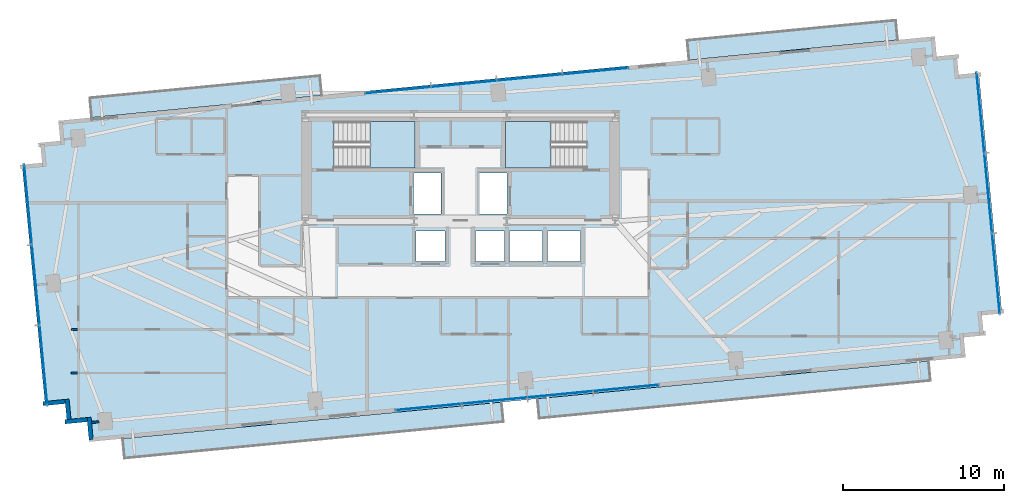
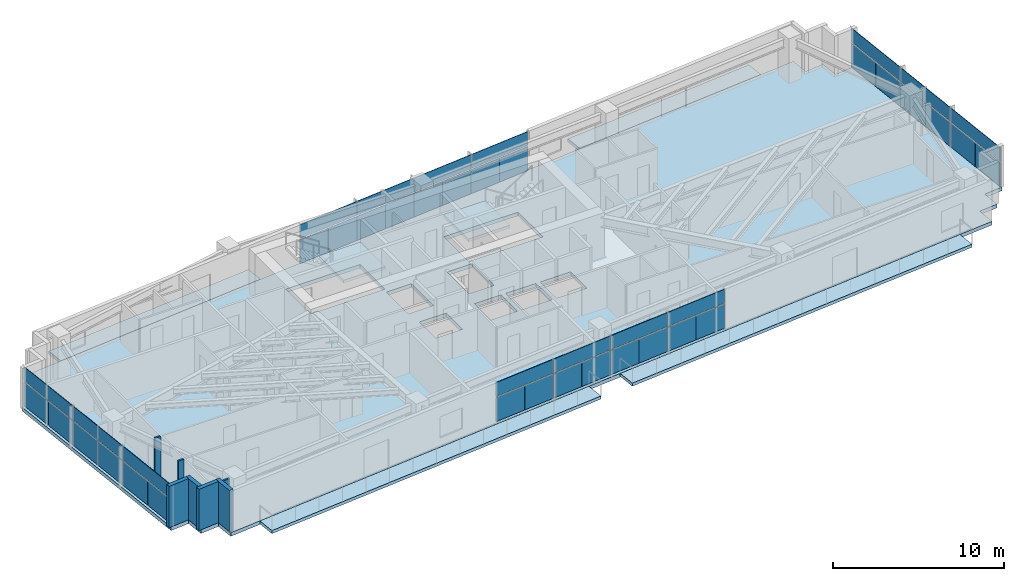
# One storey, part 20 of 27: 42 plates, 7 slabs, 7 walls, 6 elements without a shape of their own.
"""IFC4 building model written with IfcOpenShell, lengths in metres."""

from ifc_helpers import new_model, si_unit, direction, frame, frame_2d, origin, origin_2d, place, context, subcontext, project, spatial, polyline, rectangle, outline, extrude, source, transform, mapped, material, layer, layer_set, type_object, type_shapes, element, aggregate, save


model = new_model("IFC4")

# Units and contexts
model_context = context("Model", 3, precision=1e-05, world=origin(), true_north=direction((0.0, 1.0)))
body_context = subcontext(model_context, "Body", "Model", "MODEL_VIEW")
ifc_project = project(units=[si_unit("LENGTHUNIT", "METRE"), si_unit("AREAUNIT", "SQUARE_METRE"), si_unit("VOLUMEUNIT", "CUBIC_METRE"), si_unit("PLANEANGLEUNIT", "RADIAN"), si_unit("MASSUNIT", "GRAM", prefix="KILO")], contexts=[model_context])

# Site, building, storey
site_placement = place(None, origin())
site = spatial("IfcSite", under=ifc_project, at=site_placement, CompositionType="ELEMENT")
building_placement = place(site_placement, origin())
building = spatial("IfcBuilding", under=site, at=building_placement, Name="Astriad Promenade Condominiums", CompositionType="ELEMENT")
storey_placement = place(building_placement, frame((0.0, 0.0, 113.0)))
storey = spatial("IfcBuildingStorey", under=building, at=storey_placement, Name="L32", CompositionType="ELEMENT", Elevation=113.0)

# Slab
ifc_material_1 = material(Name="Concrete C50/60", Category="concrete")
ifc_layer_1 = layer(ifc_material_1, 0.260009765625)
ifc_layer_set_1 = layer_set([ifc_layer_1], Name="Concrete C50/60")
slab_type_1 = type_object("IfcSlabType", Name="CONCRETE TOWER FLOOR SLAB 260", PredefinedType="FLOOR", material=ifc_layer_set_1)
slab_1_placement = place(storey_placement, frame((0.0, 0.0, -0.260009765625)))
element("IfcSlab", 1, at=slab_1_placement, inside=storey, type_object=slab_type_1, Name="Structural Floor Slab (L32)", PredefinedType="FLOOR", context=body_context, shape_type="SweptSolid", body=[
    extrude(outline(polyline([(12.984130859375, 3.7294921875), (67.332763671875, 8.962646484375), (67.212890625, 10.206787109375), (68.457275390625, 10.32666015625), (68.33740234375, 11.57080078125), (69.58154296875, 11.690673828125), (68.14404296875, 26.62158203125), (66.899658203125, 26.501953125), (66.77978515625, 27.74609375), (65.53564453125, 27.626220703125), (65.416015625, 28.87060546875), (11.067138671875, 23.637451171875), (11.18701171875, 22.39306640625), (9.94287109375, 22.273193359375), (10.0625, 21.029052734375), (8.818359375, 20.9091796875), (10.256103515625, 5.978271484375), (11.500244140625, 6.09814453125), (11.6201171875, 4.85400390625), (12.8642578125, 4.9736328125), (12.984130859375, 3.7294921875)]), holes=[polyline([(28.175048828125, 20.699951171875), (33.175048828125, 20.699951171875), (33.175048828125, 23.60009765625), (28.175048828125, 23.60009765625), (28.175048828125, 20.699951171875)]), polyline([(38.824951171875, 20.699951171875), (43.824951171875, 20.699951171875), (43.824951171875, 23.60009765625), (38.824951171875, 23.60009765625), (38.824951171875, 20.699951171875)]), polyline([(33.10009765625, 17.85009765625), (34.800048828125, 17.85009765625), (34.800048828125, 20.39990234375), (33.10009765625, 20.39990234375), (33.10009765625, 17.85009765625)]), polyline([(37.199951171875, 17.85009765625), (38.89990234375, 17.85009765625), (38.89990234375, 20.39990234375), (37.199951171875, 20.39990234375), (37.199951171875, 17.85009765625)]), polyline([(33.25, 14.89990234375), (35.050048828125, 14.89990234375), (35.050048828125, 16.800048828125), (33.25, 16.800048828125), (33.25, 14.89990234375)]), polyline([(36.949951171875, 14.89990234375), (38.75, 14.89990234375), (38.75, 16.800048828125), (36.949951171875, 16.800048828125), (36.949951171875, 14.89990234375)]), polyline([(39.050048828125, 14.89990234375), (41.10009765625, 14.89990234375), (41.10009765625, 16.800048828125), (39.050048828125, 16.800048828125), (39.050048828125, 14.89990234375)]), polyline([(41.39990234375, 14.89990234375), (43.449951171875, 14.89990234375), (43.449951171875, 16.800048828125), (41.39990234375, 16.800048828125), (41.39990234375, 14.89990234375)])]), origin(), (0.0, 0.0, 1.0), 0.260009765625),
])

# Stair, slab
stair_type = type_object("IfcStairType", Name="STR-CORE-1350", PredefinedType="HALF_TURN_STAIR", material=ifc_material_1)
stair_1_placement = place(storey_placement, origin())
stair_1 = element("IfcStair", 2, at=stair_1_placement, inside=storey, type_object=stair_type, Name="L32 Enclosed Core Exit Stair ST-1", PredefinedType="HALF_TURN_STAIR")
ifc_layer_2 = layer(ifc_material_1, 0.219970703125)
ifc_layer_set_2 = layer_set([ifc_layer_2], Name="Concrete C50/60")
slab_type_2 = type_object("IfcSlabType", Name="SLB-LANDING-220", PredefinedType="LANDING", material=ifc_layer_set_2)
slab_2_placement = place(storey_placement, frame((0.0, 0.0, 1.39990234375)))
slab_2 = element("IfcSlab", 3, at=slab_2_placement, type_object=slab_type_2, Name="ST-1 landing 1", PredefinedType="LANDING", context=body_context, shape_type="SweptSolid", body=[
    extrude(outline(polyline([(30.389892578125, 20.699951171875), (33.199951171875, 20.699951171875), (33.199951171875, 23.60009765625), (30.389892578125, 23.60009765625), (30.389892578125, 20.699951171875)])), origin(), (0.0, 0.0, 1.0), 0.2001953125),
])
aggregate(stair_1, [slab_2])

stair_2_placement = place(storey_placement, origin())
stair_2 = element("IfcStair", 4, at=stair_2_placement, inside=storey, type_object=stair_type, Name="L32 Enclosed Core Exit Stair ST-2", PredefinedType="HALF_TURN_STAIR")
slab_3_placement = place(storey_placement, frame((0.0, 0.0, 1.39990234375)))
slab_3 = element("IfcSlab", 5, at=slab_3_placement, type_object=slab_type_2, Name="ST-2 landing 1", PredefinedType="LANDING", context=body_context, shape_type="SweptSolid", body=[
    extrude(outline(polyline([(41.610107421875, 23.60009765625), (38.800048828125, 23.60009765625), (38.800048828125, 20.699951171875), (41.610107421875, 20.699951171875), (41.610107421875, 23.60009765625)])), origin(), (0.0, 0.0, 1.0), 0.2001953125),
])
aggregate(stair_2, [slab_3])

# Slabs
ifc_material_2 = material(Name="Precast concrete C50/60", Category="concrete")
ifc_layer_3 = layer(ifc_material_2, 0.219970703125)
ifc_layer_set_3 = layer_set([ifc_layer_3], Name="Precast concrete C50/60")
slab_type_3 = type_object("IfcSlabType", Name="WHITE PRECAST CONCRETE WAVE BALCONY SLAB 220", PredefinedType="FLOOR", material=ifc_layer_set_3)
slab_4_placement = place(storey_placement, frame((0.0, 0.0, -0.219970703125)))
element("IfcSlab", 6, at=slab_4_placement, inside=storey, type_object=slab_type_3, Name="White Precast Wave Balcony Slab BAL-L32-SW", PredefinedType="FLOOR", context=body_context, shape_type="SweptSolid", body=[
    extrude(outline(polyline([(38.664794921875, 4.9765625), (15.174560546875, 2.714599609375), (15.057861328125, 3.927001953125), (38.548095703125, 6.18896484375), (38.664794921875, 4.9765625)])), origin(), (0.0, 0.0, 1.0), 0.219970703125),
])
slab_5_placement = place(storey_placement, frame((0.0, 0.0, -0.219970703125)))
element("IfcSlab", 7, at=slab_5_placement, inside=storey, type_object=slab_type_3, Name="White Precast Wave Balcony Slab BAL-L32-SE", PredefinedType="FLOOR", context=body_context, shape_type="SweptSolid", body=[
    extrude(outline(polyline([(65.1494140625, 7.526611328125), (40.8955078125, 5.19140625), (40.77880859375, 6.40380859375), (65.03271484375, 8.739013671875), (65.1494140625, 7.526611328125)])), origin(), (0.0, 0.0, 1.0), 0.219970703125),
])
slab_6_placement = place(storey_placement, frame((0.0, 0.0, -0.219970703125)))
element("IfcSlab", 8, at=slab_6_placement, inside=storey, type_object=slab_type_3, Name="White Precast Wave Balcony Slab BAL-L32-NW", PredefinedType="FLOOR", context=body_context, shape_type="SweptSolid", body=[
    extrude(outline(polyline([(13.023681640625, 25.051513671875), (27.28466796875, 26.424560546875), (27.401611328125, 25.212158203125), (13.140380859375, 23.839111328125), (13.023681640625, 25.051513671875)])), origin(), (0.0, 0.0, 1.0), 0.219970703125),
])
slab_7_placement = place(storey_placement, frame((0.0, 0.0, -0.219970703125)))
element("IfcSlab", 9, at=slab_7_placement, inside=storey, type_object=slab_type_3, Name="White Precast Wave Balcony Slab BAL-L32-NE", PredefinedType="FLOOR", context=body_context, shape_type="SweptSolid", body=[
    extrude(outline(polyline([(50.0693359375, 28.618408203125), (62.99853515625, 29.86328125), (63.115234375, 28.651123046875), (50.18603515625, 27.406005859375), (50.0693359375, 28.618408203125)])), origin(), (0.0, 0.0, 1.0), 0.219970703125),
])

# Curtain wall, plates
ifc_material_3 = material(Name="Anodised aluminium Black Dark Glass Unitised", Category="aluminium")
curtain_wall_type = type_object("IfcCurtainWallType", Name="CW-B2-DARK", PredefinedType="USERDEFINED", material=ifc_material_3)
curtain_wall_1_placement = place(storey_placement, origin())
curtain_wall_1 = element("IfcCurtainWall", 10, at=curtain_wall_1_placement, inside=storey, type_object=curtain_wall_type, Name="CW-L32-W", ObjectType="UNITISED_CURTAIN_WALL", PredefinedType="USERDEFINED")
ifc_material_4 = material(Name="Dark Tinted Low-E Laminated Glass", Category="glass")
ifc_layer_4 = layer(ifc_material_4, 0.035888671875)
ifc_layer_set_4 = layer_set([ifc_layer_4], Name="Dark Tinted Low-E Laminated Glass")
plate_type = type_object("IfcPlateType", Name="PNL-DARK-GLASS-36", PredefinedType="CURTAIN_PANEL", material=ifc_layer_set_4)
shared_shape_1 = source(origin(), body_context, "Body", "SweptSolid", [
    extrude(rectangle(XDim=2.488037109375, YDim=0.035888671875, at=origin_2d()), origin(), (0.0, 0.0, 1.0), 1.702880859375),
])
plate_1_placement = place(storey_placement, frame((10.265625, 7.235107421875, 0.080078125), z_axis=(0.0, 0.0, 1.0), x_axis=(-0.09584575252, 0.995396198367, 0.0)))
plate_1 = element("IfcPlate", 11, at=plate_1_placement, type_object=plate_type, Name="CW-L32-W-PNL-00-VL", PredefinedType="CURTAIN_PANEL", context=body_context, shape_type="MappedRepresentation", body=[
    mapped(shared_shape_1, transform((0.0, 0.0, 0.0), scale=1.0)),
])
plate_2_placement = place(storey_placement, frame((10.02587890625, 9.723388671875, 0.080078125), z_axis=(0.0, 0.0, 1.0), x_axis=(-0.09584575252, 0.995396198367, 0.0)))
plate_2 = element("IfcPlate", 12, at=plate_2_placement, type_object=plate_type, Name="CW-L32-W-PNL-00-VR", PredefinedType="CURTAIN_PANEL", context=body_context, shape_type="MappedRepresentation", body=[
    mapped(shared_shape_1, transform((0.0, 0.0, 0.0), scale=1.0)),
])
plate_3_placement = place(storey_placement, frame((9.786376953125, 12.212158203125, 0.080078125), z_axis=(0.0, 0.0, 1.0), x_axis=(-0.09584575252, 0.995396198367, 0.0)))
plate_3 = element("IfcPlate", 13, at=plate_3_placement, type_object=plate_type, Name="CW-L32-W-PNL-01-VL", PredefinedType="CURTAIN_PANEL", context=body_context, shape_type="MappedRepresentation", body=[
    mapped(shared_shape_1, transform((0.0, 0.0, 0.0), scale=1.0)),
])
plate_4_placement = place(storey_placement, frame((9.546875, 14.700439453125, 0.080078125), z_axis=(0.0, 0.0, 1.0), x_axis=(-0.09584575252, 0.995396198367, 0.0)))
plate_4 = element("IfcPlate", 14, at=plate_4_placement, type_object=plate_type, Name="CW-L32-W-PNL-01-VR", PredefinedType="CURTAIN_PANEL", context=body_context, shape_type="MappedRepresentation", body=[
    mapped(shared_shape_1, transform((0.0, 0.0, 0.0), scale=1.0)),
])
plate_5_placement = place(storey_placement, frame((9.30712890625, 17.189208984375, 0.080078125), z_axis=(0.0, 0.0, 1.0), x_axis=(-0.09584575252, 0.995396198367, 0.0)))
plate_5 = element("IfcPlate", 15, at=plate_5_placement, type_object=plate_type, Name="CW-L32-W-PNL-02-VL", PredefinedType="CURTAIN_PANEL", context=body_context, shape_type="MappedRepresentation", body=[
    mapped(shared_shape_1, transform((0.0, 0.0, 0.0), scale=1.0)),
])
plate_6_placement = place(storey_placement, frame((9.067626953125, 19.677490234375, 0.080078125), z_axis=(0.0, 0.0, 1.0), x_axis=(-0.09584575252, 0.995396198367, 0.0)))
plate_6 = element("IfcPlate", 16, at=plate_6_placement, type_object=plate_type, Name="CW-L32-W-PNL-02-VR", PredefinedType="CURTAIN_PANEL", context=body_context, shape_type="MappedRepresentation", body=[
    mapped(shared_shape_1, transform((0.0, 0.0, 0.0), scale=1.0)),
])

curtain_wall_2_placement = place(storey_placement, origin())
curtain_wall_2 = element("IfcCurtainWall", 17, at=curtain_wall_2_placement, inside=storey, type_object=curtain_wall_type, Name="CW-L32-E", ObjectType="UNITISED_CURTAIN_WALL", PredefinedType="USERDEFINED")
plate_7_placement = place(storey_placement, frame((68.134521484375, 25.364990234375, 0.080078125), z_axis=(0.0, 0.0, 1.0), x_axis=(0.09584575252, -0.995396198367, 0.0)))
plate_7 = element("IfcPlate", 18, at=plate_7_placement, type_object=plate_type, Name="CW-L32-E-PNL-00-VL", PredefinedType="CURTAIN_PANEL", context=body_context, shape_type="MappedRepresentation", body=[
    mapped(shared_shape_1, transform((0.0, 0.0, 0.0), scale=1.0)),
])
plate_8_placement = place(storey_placement, frame((68.3740234375, 22.87646484375, 0.080078125), z_axis=(0.0, 0.0, 1.0), x_axis=(0.09584575252, -0.995396198367, 0.0)))
plate_8 = element("IfcPlate", 19, at=plate_8_placement, type_object=plate_type, Name="CW-L32-E-PNL-00-VR", PredefinedType="CURTAIN_PANEL", context=body_context, shape_type="MappedRepresentation", body=[
    mapped(shared_shape_1, transform((0.0, 0.0, 0.0), scale=1.0)),
])
plate_9_placement = place(storey_placement, frame((68.613525390625, 20.387939453125, 0.080078125), z_axis=(0.0, 0.0, 1.0), x_axis=(0.09584575252, -0.995396198367, 0.0)))
plate_9 = element("IfcPlate", 20, at=plate_9_placement, type_object=plate_type, Name="CW-L32-E-PNL-01-VL", PredefinedType="CURTAIN_PANEL", context=body_context, shape_type="MappedRepresentation", body=[
    mapped(shared_shape_1, transform((0.0, 0.0, 0.0), scale=1.0)),
])
plate_10_placement = place(storey_placement, frame((68.853271484375, 17.8994140625, 0.080078125), z_axis=(0.0, 0.0, 1.0), x_axis=(0.09584575252, -0.995396198367, 0.0)))
plate_10 = element("IfcPlate", 21, at=plate_10_placement, type_object=plate_type, Name="CW-L32-E-PNL-01-VR", PredefinedType="CURTAIN_PANEL", context=body_context, shape_type="MappedRepresentation", body=[
    mapped(shared_shape_1, transform((0.0, 0.0, 0.0), scale=1.0)),
])
plate_11_placement = place(storey_placement, frame((69.0927734375, 15.410888671875, 0.080078125), z_axis=(0.0, 0.0, 1.0), x_axis=(0.09584575252, -0.995396198367, 0.0)))
plate_11 = element("IfcPlate", 22, at=plate_11_placement, type_object=plate_type, Name="CW-L32-E-PNL-02-VL", PredefinedType="CURTAIN_PANEL", context=body_context, shape_type="MappedRepresentation", body=[
    mapped(shared_shape_1, transform((0.0, 0.0, 0.0), scale=1.0)),
])
plate_12_placement = place(storey_placement, frame((69.33251953125, 12.922607421875, 0.080078125), z_axis=(0.0, 0.0, 1.0), x_axis=(0.09584575252, -0.995396198367, 0.0)))
plate_12 = element("IfcPlate", 23, at=plate_12_placement, type_object=plate_type, Name="CW-L32-E-PNL-02-VR", PredefinedType="CURTAIN_PANEL", context=body_context, shape_type="MappedRepresentation", body=[
    mapped(shared_shape_1, transform((0.0, 0.0, 0.0), scale=1.0)),
])

# Plate
shared_shape_2 = source(origin(), body_context, "Body", "SweptSolid", [
    extrude(rectangle(XDim=4.988037109375, YDim=0.035888671875, at=origin_2d()), origin(), (0.0, 0.0, 1.0), 0.997314453125),
])
plate_13_placement = place(storey_placement, frame((10.145751953125, 8.479248046875, 1.86279296875), z_axis=(0.0, 0.0, 1.0), x_axis=(-0.09584575252, 0.995396198367, 0.0)))
plate_13 = element("IfcPlate", 24, at=plate_13_placement, type_object=plate_type, Name="CW-L32-W-PNL-00-S", PredefinedType="CURTAIN_PANEL", context=body_context, shape_type="MappedRepresentation", body=[
    mapped(shared_shape_2, transform((0.0, 0.0, 0.0), scale=1.0)),
])

plate_14_placement = place(storey_placement, frame((9.66650390625, 13.456298828125, 1.86279296875), z_axis=(0.0, 0.0, 1.0), x_axis=(-0.09584575252, 0.995396198367, 0.0)))
plate_14 = element("IfcPlate", 25, at=plate_14_placement, type_object=plate_type, Name="CW-L32-W-PNL-01-S", PredefinedType="CURTAIN_PANEL", context=body_context, shape_type="MappedRepresentation", body=[
    mapped(shared_shape_2, transform((0.0, 0.0, 0.0), scale=1.0)),
])

plate_15_placement = place(storey_placement, frame((9.1875, 18.433349609375, 1.86279296875), z_axis=(0.0, 0.0, 1.0), x_axis=(-0.09584575252, 0.995396198367, 0.0)))
plate_15 = element("IfcPlate", 26, at=plate_15_placement, type_object=plate_type, Name="CW-L32-W-PNL-02-S", PredefinedType="CURTAIN_PANEL", context=body_context, shape_type="MappedRepresentation", body=[
    mapped(shared_shape_2, transform((0.0, 0.0, 0.0), scale=1.0)),
])

aggregate(curtain_wall_1, [plate_1, plate_2, plate_13, plate_3, plate_4, plate_14, plate_5, plate_6, plate_15])

plate_16_placement = place(storey_placement, frame((68.254150390625, 24.12060546875, 1.86279296875), z_axis=(0.0, 0.0, 1.0), x_axis=(0.09584575252, -0.995396198367, 0.0)))
plate_16 = element("IfcPlate", 27, at=plate_16_placement, type_object=plate_type, Name="CW-L32-E-PNL-00-S", PredefinedType="CURTAIN_PANEL", context=body_context, shape_type="MappedRepresentation", body=[
    mapped(shared_shape_2, transform((0.0, 0.0, 0.0), scale=1.0)),
])

plate_17_placement = place(storey_placement, frame((68.7333984375, 19.143798828125, 1.86279296875), z_axis=(0.0, 0.0, 1.0), x_axis=(0.09584575252, -0.995396198367, 0.0)))
plate_17 = element("IfcPlate", 28, at=plate_17_placement, type_object=plate_type, Name="CW-L32-E-PNL-01-S", PredefinedType="CURTAIN_PANEL", context=body_context, shape_type="MappedRepresentation", body=[
    mapped(shared_shape_2, transform((0.0, 0.0, 0.0), scale=1.0)),
])

plate_18_placement = place(storey_placement, frame((69.212646484375, 14.166748046875, 1.86279296875), z_axis=(0.0, 0.0, 1.0), x_axis=(0.09584575252, -0.995396198367, 0.0)))
plate_18 = element("IfcPlate", 29, at=plate_18_placement, type_object=plate_type, Name="CW-L32-E-PNL-02-S", PredefinedType="CURTAIN_PANEL", context=body_context, shape_type="MappedRepresentation", body=[
    mapped(shared_shape_2, transform((0.0, 0.0, 0.0), scale=1.0)),
])

aggregate(curtain_wall_2, [plate_7, plate_8, plate_16, plate_9, plate_10, plate_17, plate_11, plate_12, plate_18])

# Curtain wall, plates
curtain_wall_3_placement = place(storey_placement, origin())
curtain_wall_3 = element("IfcCurtainWall", 30, at=curtain_wall_3_placement, inside=storey, type_object=curtain_wall_type, Name="CW-L32-N", ObjectType="UNITISED_CURTAIN_WALL", PredefinedType="USERDEFINED")
shared_shape_3 = source(origin(), body_context, "Body", "SweptSolid", [
    extrude(rectangle(XDim=2.035400390625, YDim=0.035888671875, at=origin_2d()), origin(), (0.0, 0.0, 1.0), 1.702880859375),
])
plate_19_placement = place(storey_placement, frame((31.12060546875, 25.437744140625, 0.080078125), z_axis=(0.0, 0.0, 1.0), x_axis=(0.995396198367, 0.09584575252, 0.0)))
plate_19 = element("IfcPlate", 31, at=plate_19_placement, type_object=plate_type, Name="CW-L32-N-PNL-00-VL", PredefinedType="CURTAIN_PANEL", context=body_context, shape_type="MappedRepresentation", body=[
    mapped(shared_shape_3, transform((0.0, 0.0, 0.0), scale=1.0)),
])
plate_20_placement = place(storey_placement, frame((33.15869140625, 25.634033203125, 0.080078125), z_axis=(0.0, 0.0, 1.0), x_axis=(0.995396198367, 0.09584575252, 0.0)))
plate_20 = element("IfcPlate", 32, at=plate_20_placement, type_object=plate_type, Name="CW-L32-N-PNL-00-VR", PredefinedType="CURTAIN_PANEL", context=body_context, shape_type="MappedRepresentation", body=[
    mapped(shared_shape_3, transform((0.0, 0.0, 0.0), scale=1.0)),
])
plate_21_placement = place(storey_placement, frame((35.19677734375, 25.830078125, 0.080078125), z_axis=(0.0, 0.0, 1.0), x_axis=(0.995396198367, 0.09584575252, 0.0)))
plate_21 = element("IfcPlate", 33, at=plate_21_placement, type_object=plate_type, Name="CW-L32-N-PNL-01-VL", PredefinedType="CURTAIN_PANEL", context=body_context, shape_type="MappedRepresentation", body=[
    mapped(shared_shape_3, transform((0.0, 0.0, 0.0), scale=1.0)),
])
plate_22_placement = place(storey_placement, frame((37.23486328125, 26.026611328125, 0.080078125), z_axis=(0.0, 0.0, 1.0), x_axis=(0.995396198367, 0.09584575252, 0.0)))
plate_22 = element("IfcPlate", 34, at=plate_22_placement, type_object=plate_type, Name="CW-L32-N-PNL-01-VR", PredefinedType="CURTAIN_PANEL", context=body_context, shape_type="MappedRepresentation", body=[
    mapped(shared_shape_3, transform((0.0, 0.0, 0.0), scale=1.0)),
])
plate_23_placement = place(storey_placement, frame((39.27294921875, 26.22265625, 0.080078125), z_axis=(0.0, 0.0, 1.0), x_axis=(0.995396198367, 0.09584575252, 0.0)))
plate_23 = element("IfcPlate", 35, at=plate_23_placement, type_object=plate_type, Name="CW-L32-N-PNL-02-VL", PredefinedType="CURTAIN_PANEL", context=body_context, shape_type="MappedRepresentation", body=[
    mapped(shared_shape_3, transform((0.0, 0.0, 0.0), scale=1.0)),
])
plate_24_placement = place(storey_placement, frame((41.31103515625, 26.4189453125, 0.080078125), z_axis=(0.0, 0.0, 1.0), x_axis=(0.995396198367, 0.09584575252, 0.0)))
plate_24 = element("IfcPlate", 36, at=plate_24_placement, type_object=plate_type, Name="CW-L32-N-PNL-02-VR", PredefinedType="CURTAIN_PANEL", context=body_context, shape_type="MappedRepresentation", body=[
    mapped(shared_shape_3, transform((0.0, 0.0, 0.0), scale=1.0)),
])
plate_25_placement = place(storey_placement, frame((43.34912109375, 26.615234375, 0.080078125), z_axis=(0.0, 0.0, 1.0), x_axis=(0.995396198367, 0.09584575252, 0.0)))
plate_25 = element("IfcPlate", 37, at=plate_25_placement, type_object=plate_type, Name="CW-L32-N-PNL-03-VL", PredefinedType="CURTAIN_PANEL", context=body_context, shape_type="MappedRepresentation", body=[
    mapped(shared_shape_3, transform((0.0, 0.0, 0.0), scale=1.0)),
])
plate_26_placement = place(storey_placement, frame((45.38720703125, 26.8115234375, 0.080078125), z_axis=(0.0, 0.0, 1.0), x_axis=(0.995396198367, 0.09584575252, 0.0)))
plate_26 = element("IfcPlate", 38, at=plate_26_placement, type_object=plate_type, Name="CW-L32-N-PNL-03-VR", PredefinedType="CURTAIN_PANEL", context=body_context, shape_type="MappedRepresentation", body=[
    mapped(shared_shape_3, transform((0.0, 0.0, 0.0), scale=1.0)),
])

curtain_wall_4_placement = place(storey_placement, origin())
curtain_wall_4 = element("IfcCurtainWall", 39, at=curtain_wall_4_placement, inside=storey, type_object=curtain_wall_type, Name="CW-L32-S", ObjectType="UNITISED_CURTAIN_WALL", PredefinedType="USERDEFINED")
plate_27_placement = place(storey_placement, frame((47.279296875, 7.162353515625, 0.080078125), z_axis=(0.0, 0.0, 1.0), x_axis=(-0.995396198367, -0.09584575252, 0.0)))
plate_27 = element("IfcPlate", 40, at=plate_27_placement, type_object=plate_type, Name="CW-L32-S-PNL-00-VL", PredefinedType="CURTAIN_PANEL", context=body_context, shape_type="MappedRepresentation", body=[
    mapped(shared_shape_3, transform((0.0, 0.0, 0.0), scale=1.0)),
])
plate_28_placement = place(storey_placement, frame((45.2412109375, 6.966064453125, 0.080078125), z_axis=(0.0, 0.0, 1.0), x_axis=(-0.995396198367, -0.09584575252, 0.0)))
plate_28 = element("IfcPlate", 41, at=plate_28_placement, type_object=plate_type, Name="CW-L32-S-PNL-00-VR", PredefinedType="CURTAIN_PANEL", context=body_context, shape_type="MappedRepresentation", body=[
    mapped(shared_shape_3, transform((0.0, 0.0, 0.0), scale=1.0)),
])
plate_29_placement = place(storey_placement, frame((43.203125, 6.769775390625, 0.080078125), z_axis=(0.0, 0.0, 1.0), x_axis=(-0.995396198367, -0.09584575252, 0.0)))
plate_29 = element("IfcPlate", 42, at=plate_29_placement, type_object=plate_type, Name="CW-L32-S-PNL-01-VL", PredefinedType="CURTAIN_PANEL", context=body_context, shape_type="MappedRepresentation", body=[
    mapped(shared_shape_3, transform((0.0, 0.0, 0.0), scale=1.0)),
])
plate_30_placement = place(storey_placement, frame((41.1650390625, 6.573486328125, 0.080078125), z_axis=(0.0, 0.0, 1.0), x_axis=(-0.995396198367, -0.09584575252, 0.0)))
plate_30 = element("IfcPlate", 43, at=plate_30_placement, type_object=plate_type, Name="CW-L32-S-PNL-01-VR", PredefinedType="CURTAIN_PANEL", context=body_context, shape_type="MappedRepresentation", body=[
    mapped(shared_shape_3, transform((0.0, 0.0, 0.0), scale=1.0)),
])
plate_31_placement = place(storey_placement, frame((39.126953125, 6.377197265625, 0.080078125), z_axis=(0.0, 0.0, 1.0), x_axis=(-0.995396198367, -0.09584575252, 0.0)))
plate_31 = element("IfcPlate", 44, at=plate_31_placement, type_object=plate_type, Name="CW-L32-S-PNL-02-VL", PredefinedType="CURTAIN_PANEL", context=body_context, shape_type="MappedRepresentation", body=[
    mapped(shared_shape_3, transform((0.0, 0.0, 0.0), scale=1.0)),
])
plate_32_placement = place(storey_placement, frame((37.0888671875, 6.180908203125, 0.080078125), z_axis=(0.0, 0.0, 1.0), x_axis=(-0.995396198367, -0.09584575252, 0.0)))
plate_32 = element("IfcPlate", 45, at=plate_32_placement, type_object=plate_type, Name="CW-L32-S-PNL-02-VR", PredefinedType="CURTAIN_PANEL", context=body_context, shape_type="MappedRepresentation", body=[
    mapped(shared_shape_3, transform((0.0, 0.0, 0.0), scale=1.0)),
])
plate_33_placement = place(storey_placement, frame((35.05078125, 5.98486328125, 0.080078125), z_axis=(0.0, 0.0, 1.0), x_axis=(-0.995396198367, -0.09584575252, 0.0)))
plate_33 = element("IfcPlate", 46, at=plate_33_placement, type_object=plate_type, Name="CW-L32-S-PNL-03-VL", PredefinedType="CURTAIN_PANEL", context=body_context, shape_type="MappedRepresentation", body=[
    mapped(shared_shape_3, transform((0.0, 0.0, 0.0), scale=1.0)),
])
plate_34_placement = place(storey_placement, frame((33.0126953125, 5.78857421875, 0.080078125), z_axis=(0.0, 0.0, 1.0), x_axis=(-0.995396198367, -0.09584575252, 0.0)))
plate_34 = element("IfcPlate", 47, at=plate_34_placement, type_object=plate_type, Name="CW-L32-S-PNL-03-VR", PredefinedType="CURTAIN_PANEL", context=body_context, shape_type="MappedRepresentation", body=[
    mapped(shared_shape_3, transform((0.0, 0.0, 0.0), scale=1.0)),
])

# Plate
shared_shape_4 = source(origin(), body_context, "Body", "SweptSolid", [
    extrude(rectangle(XDim=4.0830078125, YDim=0.035888671875, at=origin_2d()), origin(), (0.0, 0.0, 1.0), 0.997314453125),
])
type_shapes(plate_type, [shared_shape_1, shared_shape_2, shared_shape_3, shared_shape_4])
plate_35_placement = place(storey_placement, frame((32.1396484375, 25.535888671875, 1.86279296875), z_axis=(0.0, 0.0, 1.0), x_axis=(0.995396198367, 0.09584575252, 0.0)))
plate_35 = element("IfcPlate", 48, at=plate_35_placement, type_object=plate_type, Name="CW-L32-N-PNL-00-S", PredefinedType="CURTAIN_PANEL", context=body_context, shape_type="MappedRepresentation", body=[
    mapped(shared_shape_4, transform((0.0, 0.0, 0.0), scale=1.0)),
])

plate_36_placement = place(storey_placement, frame((36.2158203125, 25.928466796875, 1.86279296875), z_axis=(0.0, 0.0, 1.0), x_axis=(0.995396198367, 0.09584575252, 0.0)))
plate_36 = element("IfcPlate", 49, at=plate_36_placement, type_object=plate_type, Name="CW-L32-N-PNL-01-S", PredefinedType="CURTAIN_PANEL", context=body_context, shape_type="MappedRepresentation", body=[
    mapped(shared_shape_4, transform((0.0, 0.0, 0.0), scale=1.0)),
])

plate_37_placement = place(storey_placement, frame((40.2919921875, 26.32080078125, 1.86279296875), z_axis=(0.0, 0.0, 1.0), x_axis=(0.995396198367, 0.09584575252, 0.0)))
plate_37 = element("IfcPlate", 50, at=plate_37_placement, type_object=plate_type, Name="CW-L32-N-PNL-02-S", PredefinedType="CURTAIN_PANEL", context=body_context, shape_type="MappedRepresentation", body=[
    mapped(shared_shape_4, transform((0.0, 0.0, 0.0), scale=1.0)),
])

plate_38_placement = place(storey_placement, frame((44.368408203125, 26.71337890625, 1.86279296875), z_axis=(0.0, 0.0, 1.0), x_axis=(0.995396198367, 0.09584575252, 0.0)))
plate_38 = element("IfcPlate", 51, at=plate_38_placement, type_object=plate_type, Name="CW-L32-N-PNL-03-S", PredefinedType="CURTAIN_PANEL", context=body_context, shape_type="MappedRepresentation", body=[
    mapped(shared_shape_4, transform((0.0, 0.0, 0.0), scale=1.0)),
])

aggregate(curtain_wall_3, [plate_19, plate_20, plate_35, plate_21, plate_22, plate_36, plate_23, plate_24, plate_37, plate_25, plate_26, plate_38])

plate_39_placement = place(storey_placement, frame((46.26025390625, 7.064208984375, 1.86279296875), z_axis=(0.0, 0.0, 1.0), x_axis=(-0.995396198367, -0.09584575252, 0.0)))
plate_39 = element("IfcPlate", 52, at=plate_39_placement, type_object=plate_type, Name="CW-L32-S-PNL-00-S", PredefinedType="CURTAIN_PANEL", context=body_context, shape_type="MappedRepresentation", body=[
    mapped(shared_shape_4, transform((0.0, 0.0, 0.0), scale=1.0)),
])

plate_40_placement = place(storey_placement, frame((42.18408203125, 6.671630859375, 1.86279296875), z_axis=(0.0, 0.0, 1.0), x_axis=(-0.995396198367, -0.09584575252, 0.0)))
plate_40 = element("IfcPlate", 53, at=plate_40_placement, type_object=plate_type, Name="CW-L32-S-PNL-01-S", PredefinedType="CURTAIN_PANEL", context=body_context, shape_type="MappedRepresentation", body=[
    mapped(shared_shape_4, transform((0.0, 0.0, 0.0), scale=1.0)),
])

plate_41_placement = place(storey_placement, frame((38.10791015625, 6.279052734375, 1.86279296875), z_axis=(0.0, 0.0, 1.0), x_axis=(-0.995396198367, -0.09584575252, 0.0)))
plate_41 = element("IfcPlate", 54, at=plate_41_placement, type_object=plate_type, Name="CW-L32-S-PNL-02-S", PredefinedType="CURTAIN_PANEL", context=body_context, shape_type="MappedRepresentation", body=[
    mapped(shared_shape_4, transform((0.0, 0.0, 0.0), scale=1.0)),
])

plate_42_placement = place(storey_placement, frame((34.03173828125, 5.88671875, 1.86279296875), z_axis=(0.0, 0.0, 1.0), x_axis=(-0.995396198367, -0.09584575252, 0.0)))
plate_42 = element("IfcPlate", 55, at=plate_42_placement, type_object=plate_type, Name="CW-L32-S-PNL-03-S", PredefinedType="CURTAIN_PANEL", context=body_context, shape_type="MappedRepresentation", body=[
    mapped(shared_shape_4, transform((0.0, 0.0, 0.0), scale=1.0)),
])

aggregate(curtain_wall_4, [plate_27, plate_28, plate_39, plate_29, plate_30, plate_40, plate_31, plate_32, plate_41, plate_33, plate_34, plate_42])

# Walls
ifc_layer_5 = layer(ifc_material_2, 0.260009765625)
ifc_layer_set_5 = layer_set([ifc_layer_5], Name="Precast concrete C50/60")
wall_type_1 = type_object("IfcWallType", Name="WALL-EXT-TWR-260", PredefinedType="STANDARD", material=ifc_layer_set_5)
for number, where, z_axis, x_axis, name in (
    (56, (12.86669921875, 5.1044921875, 0.0), (0.0, 0.0, 1.0), (-0.995389446633, -0.095915846097, 0.0), "W-SER-L32-00"),
    (57, (11.738525390625, 4.98095703125, 0.0), (0.0, 0.0, 1.0), (-0.095915846097, 0.995389446633, 0.0), "W-SER-L32-01"),
):
    element("IfcWall", number, at=place(storey_placement, frame(where, z_axis=z_axis, x_axis=x_axis)), inside=storey, type_object=wall_type_1, Name=name, PredefinedType="STANDARD", context=body_context, shape_type="SweptSolid", body=[
        extrude(rectangle(XDim=1.394775390625, YDim=0.260009765625, at=frame_2d((0.697265625, 0.0))), origin(), (0.0, 0.0, 1.0), 2.93994140625),
    ])
for number, where, z_axis, x_axis, name in (
    (58, (11.502685546875, 6.22900390625, 0.0), (0.0, 0.0, 1.0), (-0.995391056452, -0.09589913835, 0.0), "W-SER-L32-02"),
    (59, (13.1025390625, 3.8564453125, 0.0), (0.0, 0.0, 1.0), (-0.09589913835, 0.995391056452, 0.0), "W-SER-L32-19"),
):
    element("IfcWall", number, at=place(storey_placement, frame(where, z_axis=z_axis, x_axis=x_axis)), inside=storey, type_object=wall_type_1, Name=name, PredefinedType="STANDARD", context=body_context, shape_type="SweptSolid", body=[
        extrude(rectangle(XDim=1.39501953125, YDim=0.260009765625, at=frame_2d((0.697509765625, 0.0))), origin(), (0.0, 0.0, 1.0), 2.93994140625),
    ])
ifc_material_5 = material(Name="Acoustic Metal-Stud Gypsum Partition")
ifc_layer_6 = layer(ifc_material_5, 0.1201171875)
ifc_layer_set_6 = layer_set([ifc_layer_6], Name="Acoustic Metal-Stud Gypsum Partition")
wall_type_2 = type_object("IfcWallType", Name="WALL-PART-120", PredefinedType="PARTITIONING", material=ifc_layer_set_6)
for number, where, z_axis, x_axis, name in (
    (60, (11.875, 7.9951171875, 0.0), (0.0, 0.0, 1.0), (1.0, 0.0, 0.0), "PT-L32-W1-WDS1"),
    (61, (11.875, 10.69189453125, 0.0), (0.0, 0.0, 1.0), (1.0, 0.0, 0.0), "PT-L32-W1-WDS2"),
):
    element("IfcWall", number, at=place(storey_placement, frame(where, z_axis=z_axis, x_axis=x_axis)), inside=storey, type_object=wall_type_2, Name=name, PredefinedType="PARTITIONING", context=body_context, shape_type="SweptSolid", body=[
        extrude(rectangle(XDim=0.3779296875, YDim=0.1201171875, at=frame_2d((0.18896484375, 0.0))), origin(), (0.0, 0.0, 1.0), 2.93994140625),
    ])
wall_placement = place(storey_placement, frame((13.587646484375, 4.972900390625, 0.0), z_axis=(0.0, 0.0, 1.0), x_axis=(-0.995435366701, -0.095438098896, 0.0)))
element("IfcWall", 62, at=wall_placement, inside=storey, type_object=wall_type_2, Name="PT-PIL-L32-PC01-8", PredefinedType="PARTITIONING", context=body_context, shape_type="SweptSolid", body=[
    extrude(rectangle(XDim=0.4580078125, YDim=0.1201171875, at=frame_2d((0.22900390625, 0.0))), origin(), (0.0, 0.0, 1.0), 2.93994140625),
])

save(model, "model.ifc")
